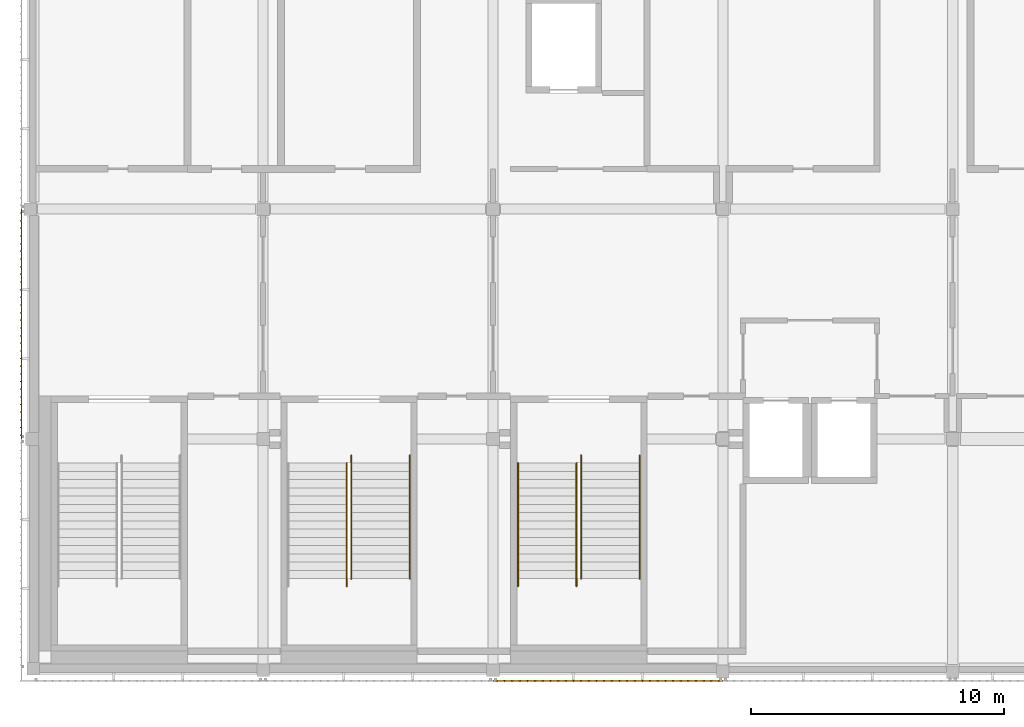
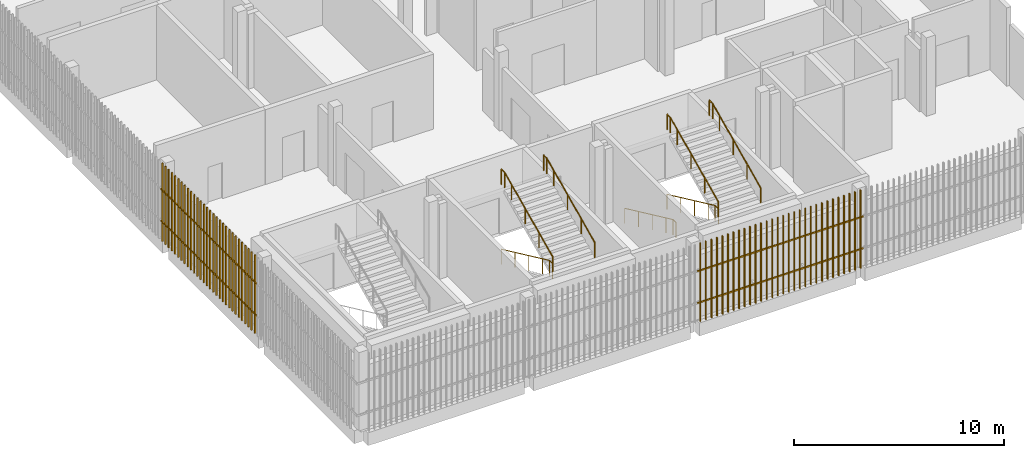
# One storey, part 75 of 91: 7 railings, 2 shading devices.
"""IFC4 building model written with IfcOpenShell, lengths in metres."""

from ifc_helpers import new_model, si_unit, direction, frame, origin, origin_2d, place, context, subcontext, project, spatial, rectangle, circle, extrude, material, type_object, element, save


model = new_model("IFC4")

# Units and contexts
model_context = context("Model", 3, precision=1e-05, world=origin(), true_north=direction((0.0, 1.0)))
body_context = subcontext(model_context, "Body", "Model", "MODEL_VIEW")
ifc_project = project(units=[si_unit("LENGTHUNIT", "METRE"), si_unit("AREAUNIT", "SQUARE_METRE"), si_unit("VOLUMEUNIT", "CUBIC_METRE"), si_unit("PLANEANGLEUNIT", "RADIAN"), si_unit("MASSUNIT", "GRAM", prefix="KILO")], contexts=[model_context])

# Site, building, storey
site_placement = place(None, origin())
site = spatial("IfcSite", under=ifc_project, at=site_placement, CompositionType="ELEMENT")
building_placement = place(site_placement, origin())
building = spatial("IfcBuilding", under=site, at=building_placement, Name="Shirokan Park Arena", CompositionType="ELEMENT")
storey_placement = place(building_placement, frame((0.0, 0.0, 24.570068359375)))
storey = spatial("IfcBuildingStorey", under=building, at=storey_placement, Name="L05", CompositionType="ELEMENT", Elevation=24.570068359375)

# Railings
ifc_material_1 = material(Name="Stainless steel", Category="steel")
railing_type = type_object("IfcRailingType", Name="Stair handrail 900", PredefinedType="HANDRAIL", material=ifc_material_1)
railing_1_placement = place(storey_placement, frame((12.409912109375, 8.14990234375, 0.151611328125)))
element("IfcRailing", 1, at=railing_1_placement, inside=storey, type_object=railing_type, Name="Handrail Exit Stair 1.B L05 to L06", PredefinedType="HANDRAIL", context=body_context, shape_type="SweptSolid", body=[
    extrude(circle(Radius=0.02392578125, at=origin_2d()), frame((0.0, 0.0, 0.8759765625), z_axis=(0.0, -0.906999720516, 0.421131222998), x_axis=(1.0, 0.0, 0.0)), (0.0, 0.0, 1.0), 1.440673828125),
    extrude(circle(Radius=0.02392578125, at=origin_2d()), frame((0.0, -1.306640625, 1.482421875), z_axis=(0.0, -0.907029769225, 0.421066500378), x_axis=(1.0, 0.0, 0.0)), (0.0, 0.0, 1.0), 1.44091796875),
    extrude(circle(Radius=0.02392578125, at=origin_2d()), frame((0.0, -2.613525390625, 2.08935546875), z_axis=(0.0, -0.907029769225, 0.421066500378), x_axis=(1.0, 0.0, 0.0)), (0.0, 0.0, 1.0), 1.44091796875),
    extrude(circle(Radius=0.02392578125, at=origin_2d()), frame((0.0, -3.92041015625, 2.69580078125), z_axis=(0.0, -0.907064445915, 0.420991794405), x_axis=(1.0, 0.0, 0.0)), (0.0, 0.0, 1.0), 0.72021484375),
    extrude(circle(Radius=0.02392578125, at=origin_2d()), frame((0.0, -4.57373046875, 2.9990234375), z_axis=(0.0, -1.0, 0.0), x_axis=(1.0, 0.0, 0.0)), (0.0, 0.0, 1.0), 0.300048828125),
    extrude(circle(Radius=0.02099609375, at=origin_2d()), origin(), (0.0, 0.0, 1.0), 0.851806640625),
    extrude(circle(Radius=0.02099609375, at=origin_2d()), frame((0.0, -1.306640625, 0.606689453125)), (0.0, 0.0, 1.0), 0.851806640625),
    extrude(circle(Radius=0.02099609375, at=origin_2d()), frame((0.0, -2.613525390625, 1.21337890625)), (0.0, 0.0, 1.0), 0.851806640625),
    extrude(circle(Radius=0.02099609375, at=origin_2d()), frame((0.0, -3.92041015625, 1.820068359375)), (0.0, 0.0, 1.0), 0.851806640625),
    extrude(circle(Radius=0.02099609375, at=origin_2d()), frame((0.0, -4.57373046875, 2.123291015625)), (0.0, 0.0, 1.0), 0.851806640625),
    extrude(circle(Radius=0.02099609375, at=origin_2d()), frame((0.0, -4.873779296875, 2.123291015625)), (0.0, 0.0, 1.0), 0.851806640625),
])
railing_2_placement = place(storey_placement, frame((12.590087890625, 3.576171875, 2.426513671875)))
element("IfcRailing", 2, at=railing_2_placement, inside=storey, type_object=railing_type, Name="Handrail Exit Stair 1.B L05 to L06", PredefinedType="HANDRAIL", context=body_context, shape_type="SweptSolid", body=[
    extrude(circle(Radius=0.02392578125, at=origin_2d()), frame((0.0, 0.0, 0.8759765625), z_axis=(0.0, 0.907029769225, 0.421066500378), x_axis=(-1.0, 0.0, 0.0)), (0.0, 0.0, 1.0), 1.44091796875),
    extrude(circle(Radius=0.02392578125, at=origin_2d()), frame((0.0, 1.306884765625, 1.482421875), z_axis=(0.0, 0.906999720516, 0.421131222998), x_axis=(-1.0, 0.0, 0.0)), (0.0, 0.0, 1.0), 1.440673828125),
    extrude(circle(Radius=0.02392578125, at=origin_2d()), frame((0.0, 2.613525390625, 2.08935546875), z_axis=(0.0, 0.907029769225, 0.421066500378), x_axis=(-1.0, 0.0, 0.0)), (0.0, 0.0, 1.0), 1.44091796875),
    extrude(circle(Radius=0.02392578125, at=origin_2d()), frame((0.0, 3.92041015625, 2.69580078125), z_axis=(0.0, 0.906934982928, 0.421270621741), x_axis=(-1.0, 0.0, 0.0)), (0.0, 0.0, 1.0), 0.720458984375),
    extrude(circle(Radius=0.02392578125, at=origin_2d()), frame((0.0, 4.57373046875, 2.99951171875), z_axis=(0.0, 1.0, 0.0), x_axis=(-1.0, 0.0, 0.0)), (0.0, 0.0, 1.0), 0.300048828125),
    extrude(circle(Radius=0.02099609375, at=origin_2d()), origin(), (0.0, 0.0, 1.0), 0.851806640625),
    extrude(circle(Radius=0.02099609375, at=origin_2d()), frame((0.0, 1.306884765625, 0.606689453125)), (0.0, 0.0, 1.0), 0.851806640625),
    extrude(circle(Radius=0.02099609375, at=origin_2d()), frame((0.0, 2.613525390625, 1.21337890625)), (0.0, 0.0, 1.0), 0.851806640625),
    extrude(circle(Radius=0.02099609375, at=origin_2d()), frame((0.0, 3.92041015625, 1.820068359375)), (0.0, 0.0, 1.0), 0.851806640625),
    extrude(circle(Radius=0.02099609375, at=origin_2d()), frame((0.0, 4.57373046875, 2.12353515625)), (0.0, 0.0, 1.0), 0.851806640625),
    extrude(circle(Radius=0.02099609375, at=origin_2d()), frame((0.0, 4.873779296875, 2.12353515625)), (0.0, 0.0, 1.0), 0.851806640625),
])
railing_3_placement = place(storey_placement, frame((14.909912109375, 3.576171875, 2.426513671875)))
element("IfcRailing", 3, at=railing_3_placement, inside=storey, type_object=railing_type, Name="Handrail Exit Stair 1.B L05 to L06", PredefinedType="HANDRAIL", context=body_context, shape_type="SweptSolid", body=[
    extrude(circle(Radius=0.02392578125, at=origin_2d()), frame((0.0, 0.0, 0.8759765625), z_axis=(0.0, 0.907029769225, 0.421066500378), x_axis=(-1.0, 0.0, 0.0)), (0.0, 0.0, 1.0), 1.44091796875),
    extrude(circle(Radius=0.02392578125, at=origin_2d()), frame((0.0, 1.306884765625, 1.482421875), z_axis=(0.0, 0.906999720516, 0.421131222998), x_axis=(-1.0, 0.0, 0.0)), (0.0, 0.0, 1.0), 1.440673828125),
    extrude(circle(Radius=0.02392578125, at=origin_2d()), frame((0.0, 2.613525390625, 2.08935546875), z_axis=(0.0, 0.907029769225, 0.421066500378), x_axis=(-1.0, 0.0, 0.0)), (0.0, 0.0, 1.0), 1.44091796875),
    extrude(circle(Radius=0.02392578125, at=origin_2d()), frame((0.0, 3.92041015625, 2.69580078125), z_axis=(0.0, 0.906934982928, 0.421270621741), x_axis=(-1.0, 0.0, 0.0)), (0.0, 0.0, 1.0), 0.720458984375),
    extrude(circle(Radius=0.02392578125, at=origin_2d()), frame((0.0, 4.57373046875, 2.99951171875), z_axis=(0.0, 1.0, 0.0), x_axis=(-1.0, 0.0, 0.0)), (0.0, 0.0, 1.0), 0.300048828125),
    extrude(circle(Radius=0.02099609375, at=origin_2d()), origin(), (0.0, 0.0, 1.0), 0.851806640625),
    extrude(circle(Radius=0.02099609375, at=origin_2d()), frame((0.0, 1.306884765625, 0.606689453125)), (0.0, 0.0, 1.0), 0.851806640625),
    extrude(circle(Radius=0.02099609375, at=origin_2d()), frame((0.0, 2.613525390625, 1.21337890625)), (0.0, 0.0, 1.0), 0.851806640625),
    extrude(circle(Radius=0.02099609375, at=origin_2d()), frame((0.0, 3.92041015625, 1.820068359375)), (0.0, 0.0, 1.0), 0.851806640625),
    extrude(circle(Radius=0.02099609375, at=origin_2d()), frame((0.0, 4.57373046875, 2.12353515625)), (0.0, 0.0, 1.0), 0.851806640625),
    extrude(circle(Radius=0.02099609375, at=origin_2d()), frame((0.0, 4.873779296875, 2.12353515625)), (0.0, 0.0, 1.0), 0.851806640625),
])
railing_4_placement = place(storey_placement, frame((19.18994140625, 8.14990234375, 0.151611328125)))
element("IfcRailing", 4, at=railing_4_placement, inside=storey, type_object=railing_type, Name="Handrail Exit Stair 1.C L05 to L06", PredefinedType="HANDRAIL", context=body_context, shape_type="SweptSolid", body=[
    extrude(circle(Radius=0.02392578125, at=origin_2d()), frame((0.0, 0.0, 0.8759765625), z_axis=(0.0, -0.906999720516, 0.421131222998), x_axis=(1.0, 0.0, 0.0)), (0.0, 0.0, 1.0), 1.440673828125),
    extrude(circle(Radius=0.02392578125, at=origin_2d()), frame((0.0, -1.306640625, 1.482421875), z_axis=(0.0, -0.907029769225, 0.421066500378), x_axis=(1.0, 0.0, 0.0)), (0.0, 0.0, 1.0), 1.44091796875),
    extrude(circle(Radius=0.02392578125, at=origin_2d()), frame((0.0, -2.613525390625, 2.08935546875), z_axis=(0.0, -0.907029769225, 0.421066500378), x_axis=(1.0, 0.0, 0.0)), (0.0, 0.0, 1.0), 1.44091796875),
    extrude(circle(Radius=0.02392578125, at=origin_2d()), frame((0.0, -3.92041015625, 2.69580078125), z_axis=(0.0, -0.907064445915, 0.420991794405), x_axis=(1.0, 0.0, 0.0)), (0.0, 0.0, 1.0), 0.72021484375),
    extrude(circle(Radius=0.02392578125, at=origin_2d()), frame((0.0, -4.57373046875, 2.9990234375), z_axis=(0.0, -1.0, 0.0), x_axis=(1.0, 0.0, 0.0)), (0.0, 0.0, 1.0), 0.300048828125),
    extrude(circle(Radius=0.02099609375, at=origin_2d()), origin(), (0.0, 0.0, 1.0), 0.851806640625),
    extrude(circle(Radius=0.02099609375, at=origin_2d()), frame((0.0, -1.306640625, 0.606689453125)), (0.0, 0.0, 1.0), 0.851806640625),
    extrude(circle(Radius=0.02099609375, at=origin_2d()), frame((0.0, -2.613525390625, 1.21337890625)), (0.0, 0.0, 1.0), 0.851806640625),
    extrude(circle(Radius=0.02099609375, at=origin_2d()), frame((0.0, -3.92041015625, 1.820068359375)), (0.0, 0.0, 1.0), 0.851806640625),
    extrude(circle(Radius=0.02099609375, at=origin_2d()), frame((0.0, -4.57373046875, 2.123291015625)), (0.0, 0.0, 1.0), 0.851806640625),
    extrude(circle(Radius=0.02099609375, at=origin_2d()), frame((0.0, -4.873779296875, 2.123291015625)), (0.0, 0.0, 1.0), 0.851806640625),
])
railing_5_placement = place(storey_placement, frame((21.510009765625, 8.14990234375, 0.151611328125)))
element("IfcRailing", 5, at=railing_5_placement, inside=storey, type_object=railing_type, Name="Handrail Exit Stair 1.C L05 to L06", PredefinedType="HANDRAIL", context=body_context, shape_type="SweptSolid", body=[
    extrude(circle(Radius=0.02392578125, at=origin_2d()), frame((0.0, 0.0, 0.8759765625), z_axis=(0.0, -0.906999720516, 0.421131222998), x_axis=(1.0, 0.0, 0.0)), (0.0, 0.0, 1.0), 1.440673828125),
    extrude(circle(Radius=0.02392578125, at=origin_2d()), frame((0.0, -1.306640625, 1.482421875), z_axis=(0.0, -0.907029769225, 0.421066500378), x_axis=(1.0, 0.0, 0.0)), (0.0, 0.0, 1.0), 1.44091796875),
    extrude(circle(Radius=0.02392578125, at=origin_2d()), frame((0.0, -2.613525390625, 2.08935546875), z_axis=(0.0, -0.907029769225, 0.421066500378), x_axis=(1.0, 0.0, 0.0)), (0.0, 0.0, 1.0), 1.44091796875),
    extrude(circle(Radius=0.02392578125, at=origin_2d()), frame((0.0, -3.92041015625, 2.69580078125), z_axis=(0.0, -0.907064445915, 0.420991794405), x_axis=(1.0, 0.0, 0.0)), (0.0, 0.0, 1.0), 0.72021484375),
    extrude(circle(Radius=0.02392578125, at=origin_2d()), frame((0.0, -4.57373046875, 2.9990234375), z_axis=(0.0, -1.0, 0.0), x_axis=(1.0, 0.0, 0.0)), (0.0, 0.0, 1.0), 0.300048828125),
    extrude(circle(Radius=0.02099609375, at=origin_2d()), origin(), (0.0, 0.0, 1.0), 0.851806640625),
    extrude(circle(Radius=0.02099609375, at=origin_2d()), frame((0.0, -1.306640625, 0.606689453125)), (0.0, 0.0, 1.0), 0.851806640625),
    extrude(circle(Radius=0.02099609375, at=origin_2d()), frame((0.0, -2.613525390625, 1.21337890625)), (0.0, 0.0, 1.0), 0.851806640625),
    extrude(circle(Radius=0.02099609375, at=origin_2d()), frame((0.0, -3.92041015625, 1.820068359375)), (0.0, 0.0, 1.0), 0.851806640625),
    extrude(circle(Radius=0.02099609375, at=origin_2d()), frame((0.0, -4.57373046875, 2.123291015625)), (0.0, 0.0, 1.0), 0.851806640625),
    extrude(circle(Radius=0.02099609375, at=origin_2d()), frame((0.0, -4.873779296875, 2.123291015625)), (0.0, 0.0, 1.0), 0.851806640625),
])
railing_6_placement = place(storey_placement, frame((21.68994140625, 3.576171875, 2.426513671875)))
element("IfcRailing", 6, at=railing_6_placement, inside=storey, type_object=railing_type, Name="Handrail Exit Stair 1.C L05 to L06", PredefinedType="HANDRAIL", context=body_context, shape_type="SweptSolid", body=[
    extrude(circle(Radius=0.02392578125, at=origin_2d()), frame((0.0, 0.0, 0.8759765625), z_axis=(0.0, 0.907029769225, 0.421066500378), x_axis=(-1.0, 0.0, 0.0)), (0.0, 0.0, 1.0), 1.44091796875),
    extrude(circle(Radius=0.02392578125, at=origin_2d()), frame((0.0, 1.306884765625, 1.482421875), z_axis=(0.0, 0.906999720516, 0.421131222998), x_axis=(-1.0, 0.0, 0.0)), (0.0, 0.0, 1.0), 1.440673828125),
    extrude(circle(Radius=0.02392578125, at=origin_2d()), frame((0.0, 2.613525390625, 2.08935546875), z_axis=(0.0, 0.907029769225, 0.421066500378), x_axis=(-1.0, 0.0, 0.0)), (0.0, 0.0, 1.0), 1.44091796875),
    extrude(circle(Radius=0.02392578125, at=origin_2d()), frame((0.0, 3.92041015625, 2.69580078125), z_axis=(0.0, 0.906934982928, 0.421270621741), x_axis=(-1.0, 0.0, 0.0)), (0.0, 0.0, 1.0), 0.720458984375),
    extrude(circle(Radius=0.02392578125, at=origin_2d()), frame((0.0, 4.57373046875, 2.99951171875), z_axis=(0.0, 1.0, 0.0), x_axis=(-1.0, 0.0, 0.0)), (0.0, 0.0, 1.0), 0.300048828125),
    extrude(circle(Radius=0.02099609375, at=origin_2d()), origin(), (0.0, 0.0, 1.0), 0.851806640625),
    extrude(circle(Radius=0.02099609375, at=origin_2d()), frame((0.0, 1.306884765625, 0.606689453125)), (0.0, 0.0, 1.0), 0.851806640625),
    extrude(circle(Radius=0.02099609375, at=origin_2d()), frame((0.0, 2.613525390625, 1.21337890625)), (0.0, 0.0, 1.0), 0.851806640625),
    extrude(circle(Radius=0.02099609375, at=origin_2d()), frame((0.0, 3.92041015625, 1.820068359375)), (0.0, 0.0, 1.0), 0.851806640625),
    extrude(circle(Radius=0.02099609375, at=origin_2d()), frame((0.0, 4.57373046875, 2.12353515625)), (0.0, 0.0, 1.0), 0.851806640625),
    extrude(circle(Radius=0.02099609375, at=origin_2d()), frame((0.0, 4.873779296875, 2.12353515625)), (0.0, 0.0, 1.0), 0.851806640625),
])
railing_7_placement = place(storey_placement, frame((24.010009765625, 3.576171875, 2.426513671875)))
element("IfcRailing", 7, at=railing_7_placement, inside=storey, type_object=railing_type, Name="Handrail Exit Stair 1.C L05 to L06", PredefinedType="HANDRAIL", context=body_context, shape_type="SweptSolid", body=[
    extrude(circle(Radius=0.02392578125, at=origin_2d()), frame((0.0, 0.0, 0.8759765625), z_axis=(0.0, 0.907029769225, 0.421066500378), x_axis=(-1.0, 0.0, 0.0)), (0.0, 0.0, 1.0), 1.44091796875),
    extrude(circle(Radius=0.02392578125, at=origin_2d()), frame((0.0, 1.306884765625, 1.482421875), z_axis=(0.0, 0.906999720516, 0.421131222998), x_axis=(-1.0, 0.0, 0.0)), (0.0, 0.0, 1.0), 1.440673828125),
    extrude(circle(Radius=0.02392578125, at=origin_2d()), frame((0.0, 2.613525390625, 2.08935546875), z_axis=(0.0, 0.907029769225, 0.421066500378), x_axis=(-1.0, 0.0, 0.0)), (0.0, 0.0, 1.0), 1.44091796875),
    extrude(circle(Radius=0.02392578125, at=origin_2d()), frame((0.0, 3.92041015625, 2.69580078125), z_axis=(0.0, 0.906934982928, 0.421270621741), x_axis=(-1.0, 0.0, 0.0)), (0.0, 0.0, 1.0), 0.720458984375),
    extrude(circle(Radius=0.02392578125, at=origin_2d()), frame((0.0, 4.57373046875, 2.99951171875), z_axis=(0.0, 1.0, 0.0), x_axis=(-1.0, 0.0, 0.0)), (0.0, 0.0, 1.0), 0.300048828125),
    extrude(circle(Radius=0.02099609375, at=origin_2d()), origin(), (0.0, 0.0, 1.0), 0.851806640625),
    extrude(circle(Radius=0.02099609375, at=origin_2d()), frame((0.0, 1.306884765625, 0.606689453125)), (0.0, 0.0, 1.0), 0.851806640625),
    extrude(circle(Radius=0.02099609375, at=origin_2d()), frame((0.0, 2.613525390625, 1.21337890625)), (0.0, 0.0, 1.0), 0.851806640625),
    extrude(circle(Radius=0.02099609375, at=origin_2d()), frame((0.0, 3.92041015625, 1.820068359375)), (0.0, 0.0, 1.0), 0.851806640625),
    extrude(circle(Radius=0.02099609375, at=origin_2d()), frame((0.0, 4.57373046875, 2.12353515625)), (0.0, 0.0, 1.0), 0.851806640625),
    extrude(circle(Radius=0.02099609375, at=origin_2d()), frame((0.0, 4.873779296875, 2.12353515625)), (0.0, 0.0, 1.0), 0.851806640625),
])

# Shading devices
ifc_material_2 = material(Name="Timber louvre veil (cedar)", Category="wood")
shading_device_type = type_object("IfcShadingDeviceType", Name="Timber louvre veil panel", PredefinedType="JALOUSIE", material=ifc_material_2)
shading_device_1_placement = place(storey_placement, origin())
element("IfcShadingDevice", 8, at=shading_device_1_placement, inside=storey, type_object=shading_device_type, Name="Timber louvre veil south bay 3 L05", PredefinedType="JALOUSIE", context=body_context, shape_type="SweptSolid", body=[
    extrude(rectangle(XDim=0.050048828125, YDim=0.080078125, at=origin_2d()), frame((18.3515625, -0.485107421875, 0.0), z_axis=(0.0, 0.0, 1.0), x_axis=(1.0, 0.0, 0.0)), (0.0, 0.0, 1.0), 4.550048828125),
    extrude(rectangle(XDim=0.050048828125, YDim=0.080078125, at=origin_2d()), frame((18.655029296875, -0.485107421875, 0.0), z_axis=(0.0, 0.0, 1.0), x_axis=(1.0, 0.0, 0.0)), (0.0, 0.0, 1.0), 4.550048828125),
    extrude(rectangle(XDim=0.050048828125, YDim=0.080078125, at=origin_2d()), frame((18.958251953125, -0.485107421875, 0.0), z_axis=(0.0, 0.0, 1.0), x_axis=(1.0, 0.0, 0.0)), (0.0, 0.0, 1.0), 4.550048828125),
    extrude(rectangle(XDim=0.050048828125, YDim=0.080078125, at=origin_2d()), frame((19.26171875, -0.485107421875, 0.0), z_axis=(0.0, 0.0, 1.0), x_axis=(1.0, 0.0, 0.0)), (0.0, 0.0, 1.0), 4.550048828125),
    extrude(rectangle(XDim=0.050048828125, YDim=0.080078125, at=origin_2d()), frame((19.56494140625, -0.485107421875, 0.0), z_axis=(0.0, 0.0, 1.0), x_axis=(1.0, 0.0, 0.0)), (0.0, 0.0, 1.0), 4.550048828125),
    extrude(rectangle(XDim=0.050048828125, YDim=0.080078125, at=origin_2d()), frame((19.868408203125, -0.485107421875, 0.0), z_axis=(0.0, 0.0, 1.0), x_axis=(1.0, 0.0, 0.0)), (0.0, 0.0, 1.0), 4.550048828125),
    extrude(rectangle(XDim=0.050048828125, YDim=0.080078125, at=origin_2d()), frame((20.171630859375, -0.485107421875, 0.0), z_axis=(0.0, 0.0, 1.0), x_axis=(1.0, 0.0, 0.0)), (0.0, 0.0, 1.0), 4.550048828125),
    extrude(rectangle(XDim=0.050048828125, YDim=0.080078125, at=origin_2d()), frame((20.47509765625, -0.485107421875, 0.0), z_axis=(0.0, 0.0, 1.0), x_axis=(1.0, 0.0, 0.0)), (0.0, 0.0, 1.0), 4.550048828125),
    extrude(rectangle(XDim=0.050048828125, YDim=0.080078125, at=origin_2d()), frame((20.7783203125, -0.485107421875, 0.0), z_axis=(0.0, 0.0, 1.0), x_axis=(1.0, 0.0, 0.0)), (0.0, 0.0, 1.0), 4.550048828125),
    extrude(rectangle(XDim=0.050048828125, YDim=0.080078125, at=origin_2d()), frame((21.081787109375, -0.485107421875, 0.0), z_axis=(0.0, 0.0, 1.0), x_axis=(1.0, 0.0, 0.0)), (0.0, 0.0, 1.0), 4.550048828125),
    extrude(rectangle(XDim=0.050048828125, YDim=0.080078125, at=origin_2d()), frame((21.385009765625, -0.485107421875, 0.0), z_axis=(0.0, 0.0, 1.0), x_axis=(1.0, 0.0, 0.0)), (0.0, 0.0, 1.0), 4.550048828125),
    extrude(rectangle(XDim=0.050048828125, YDim=0.080078125, at=origin_2d()), frame((21.688232421875, -0.485107421875, 0.0), z_axis=(0.0, 0.0, 1.0), x_axis=(1.0, 0.0, 0.0)), (0.0, 0.0, 1.0), 4.550048828125),
    extrude(rectangle(XDim=0.050048828125, YDim=0.080078125, at=origin_2d()), frame((21.99169921875, -0.485107421875, 0.0), z_axis=(0.0, 0.0, 1.0), x_axis=(1.0, 0.0, 0.0)), (0.0, 0.0, 1.0), 4.550048828125),
    extrude(rectangle(XDim=0.050048828125, YDim=0.080078125, at=origin_2d()), frame((22.294921875, -0.485107421875, 0.0), z_axis=(0.0, 0.0, 1.0), x_axis=(1.0, 0.0, 0.0)), (0.0, 0.0, 1.0), 4.550048828125),
    extrude(rectangle(XDim=0.050048828125, YDim=0.080078125, at=origin_2d()), frame((22.598388671875, -0.485107421875, 0.0), z_axis=(0.0, 0.0, 1.0), x_axis=(1.0, 0.0, 0.0)), (0.0, 0.0, 1.0), 4.550048828125),
    extrude(rectangle(XDim=0.050048828125, YDim=0.080078125, at=origin_2d()), frame((22.901611328125, -0.485107421875, 0.0), z_axis=(0.0, 0.0, 1.0), x_axis=(1.0, 0.0, 0.0)), (0.0, 0.0, 1.0), 4.550048828125),
    extrude(rectangle(XDim=0.050048828125, YDim=0.080078125, at=origin_2d()), frame((23.205078125, -0.485107421875, 0.0), z_axis=(0.0, 0.0, 1.0), x_axis=(1.0, 0.0, 0.0)), (0.0, 0.0, 1.0), 4.550048828125),
    extrude(rectangle(XDim=0.050048828125, YDim=0.080078125, at=origin_2d()), frame((23.50830078125, -0.485107421875, 0.0), z_axis=(0.0, 0.0, 1.0), x_axis=(1.0, 0.0, 0.0)), (0.0, 0.0, 1.0), 4.550048828125),
    extrude(rectangle(XDim=0.050048828125, YDim=0.080078125, at=origin_2d()), frame((23.811767578125, -0.485107421875, 0.0), z_axis=(0.0, 0.0, 1.0), x_axis=(1.0, 0.0, 0.0)), (0.0, 0.0, 1.0), 4.550048828125),
    extrude(rectangle(XDim=0.050048828125, YDim=0.080078125, at=origin_2d()), frame((24.114990234375, -0.485107421875, 0.0), z_axis=(0.0, 0.0, 1.0), x_axis=(1.0, 0.0, 0.0)), (0.0, 0.0, 1.0), 4.550048828125),
    extrude(rectangle(XDim=0.050048828125, YDim=0.080078125, at=origin_2d()), frame((24.418212890625, -0.485107421875, 0.0), z_axis=(0.0, 0.0, 1.0), x_axis=(1.0, 0.0, 0.0)), (0.0, 0.0, 1.0), 4.550048828125),
    extrude(rectangle(XDim=0.050048828125, YDim=0.080078125, at=origin_2d()), frame((24.7216796875, -0.485107421875, 0.0), z_axis=(0.0, 0.0, 1.0), x_axis=(1.0, 0.0, 0.0)), (0.0, 0.0, 1.0), 4.550048828125),
    extrude(rectangle(XDim=0.050048828125, YDim=0.080078125, at=origin_2d()), frame((25.02490234375, -0.485107421875, 0.0), z_axis=(0.0, 0.0, 1.0), x_axis=(1.0, 0.0, 0.0)), (0.0, 0.0, 1.0), 4.550048828125),
    extrude(rectangle(XDim=0.050048828125, YDim=0.080078125, at=origin_2d()), frame((25.328369140625, -0.485107421875, 0.0), z_axis=(0.0, 0.0, 1.0), x_axis=(1.0, 0.0, 0.0)), (0.0, 0.0, 1.0), 4.550048828125),
    extrude(rectangle(XDim=0.050048828125, YDim=0.080078125, at=origin_2d()), frame((25.631591796875, -0.485107421875, 0.0), z_axis=(0.0, 0.0, 1.0), x_axis=(1.0, 0.0, 0.0)), (0.0, 0.0, 1.0), 4.550048828125),
    extrude(rectangle(XDim=0.050048828125, YDim=0.080078125, at=origin_2d()), frame((25.93505859375, -0.485107421875, 0.0), z_axis=(0.0, 0.0, 1.0), x_axis=(1.0, 0.0, 0.0)), (0.0, 0.0, 1.0), 4.550048828125),
    extrude(rectangle(XDim=0.050048828125, YDim=0.080078125, at=origin_2d()), frame((26.23828125, -0.485107421875, 0.0), z_axis=(0.0, 0.0, 1.0), x_axis=(1.0, 0.0, 0.0)), (0.0, 0.0, 1.0), 4.550048828125),
    extrude(rectangle(XDim=0.050048828125, YDim=0.080078125, at=origin_2d()), frame((26.541748046875, -0.485107421875, 0.0), z_axis=(0.0, 0.0, 1.0), x_axis=(1.0, 0.0, 0.0)), (0.0, 0.0, 1.0), 4.550048828125),
    extrude(rectangle(XDim=0.050048828125, YDim=0.080078125, at=origin_2d()), frame((26.844970703125, -0.485107421875, 0.0), z_axis=(0.0, 0.0, 1.0), x_axis=(1.0, 0.0, 0.0)), (0.0, 0.0, 1.0), 4.550048828125),
    extrude(rectangle(XDim=0.050048828125, YDim=0.080078125, at=origin_2d()), frame((27.1484375, -0.485107421875, 0.0), z_axis=(0.0, 0.0, 1.0), x_axis=(1.0, 0.0, 0.0)), (0.0, 0.0, 1.0), 4.550048828125),
    extrude(rectangle(XDim=9.10009765625, YDim=0.050048828125, at=origin_2d()), frame((22.75, -0.469970703125, 1.059814453125), z_axis=(0.0, 0.0, 1.0), x_axis=(1.0, 0.0, 0.0)), (0.0, 0.0, 1.0), 0.080078125),
    extrude(rectangle(XDim=9.10009765625, YDim=0.050048828125, at=origin_2d()), frame((22.75, -0.469970703125, 2.909912109375), z_axis=(0.0, 0.0, 1.0), x_axis=(1.0, 0.0, 0.0)), (0.0, 0.0, 1.0), 0.080078125),
])
shading_device_2_placement = place(storey_placement, origin())
element("IfcShadingDevice", 9, at=shading_device_2_placement, inside=storey, type_object=shading_device_type, Name="Timber louvre veil west bay 11 L05", PredefinedType="JALOUSIE", context=body_context, shape_type="SweptSolid", body=[
    extrude(rectangle(XDim=0.050048828125, YDim=0.080078125, at=origin_2d()), frame((-0.485107421875, 18.04833984375, 0.0), z_axis=(0.0, 0.0, 1.0), x_axis=(0.0, -1.0, 0.0)), (0.0, 0.0, 1.0), 4.550048828125),
    extrude(rectangle(XDim=0.050048828125, YDim=0.080078125, at=origin_2d()), frame((-0.485107421875, 17.7451171875, 0.0), z_axis=(0.0, 0.0, 1.0), x_axis=(0.0, -1.0, 0.0)), (0.0, 0.0, 1.0), 4.550048828125),
    extrude(rectangle(XDim=0.050048828125, YDim=0.080078125, at=origin_2d()), frame((-0.485107421875, 17.441650390625, 0.0), z_axis=(0.0, 0.0, 1.0), x_axis=(0.0, -1.0, 0.0)), (0.0, 0.0, 1.0), 4.550048828125),
    extrude(rectangle(XDim=0.050048828125, YDim=0.080078125, at=origin_2d()), frame((-0.485107421875, 17.138427734375, 0.0), z_axis=(0.0, 0.0, 1.0), x_axis=(0.0, -1.0, 0.0)), (0.0, 0.0, 1.0), 4.550048828125),
    extrude(rectangle(XDim=0.050048828125, YDim=0.080078125, at=origin_2d()), frame((-0.485107421875, 16.8349609375, 0.0), z_axis=(0.0, 0.0, 1.0), x_axis=(0.0, -1.0, 0.0)), (0.0, 0.0, 1.0), 4.550048828125),
    extrude(rectangle(XDim=0.050048828125, YDim=0.080078125, at=origin_2d()), frame((-0.485107421875, 16.53173828125, 0.0), z_axis=(0.0, 0.0, 1.0), x_axis=(0.0, -1.0, 0.0)), (0.0, 0.0, 1.0), 4.550048828125),
    extrude(rectangle(XDim=0.050048828125, YDim=0.080078125, at=origin_2d()), frame((-0.485107421875, 16.228271484375, 0.0), z_axis=(0.0, 0.0, 1.0), x_axis=(0.0, -1.0, 0.0)), (0.0, 0.0, 1.0), 4.550048828125),
    extrude(rectangle(XDim=0.050048828125, YDim=0.080078125, at=origin_2d()), frame((-0.485107421875, 15.925048828125, 0.0), z_axis=(0.0, 0.0, 1.0), x_axis=(0.0, -1.0, 0.0)), (0.0, 0.0, 1.0), 4.550048828125),
    extrude(rectangle(XDim=0.050048828125, YDim=0.080078125, at=origin_2d()), frame((-0.485107421875, 15.62158203125, 0.0), z_axis=(0.0, 0.0, 1.0), x_axis=(0.0, -1.0, 0.0)), (0.0, 0.0, 1.0), 4.550048828125),
    extrude(rectangle(XDim=0.050048828125, YDim=0.080078125, at=origin_2d()), frame((-0.485107421875, 15.318359375, 0.0), z_axis=(0.0, 0.0, 1.0), x_axis=(0.0, -1.0, 0.0)), (0.0, 0.0, 1.0), 4.550048828125),
    extrude(rectangle(XDim=0.050048828125, YDim=0.080078125, at=origin_2d()), frame((-0.485107421875, 15.014892578125, 0.0), z_axis=(0.0, 0.0, 1.0), x_axis=(0.0, -1.0, 0.0)), (0.0, 0.0, 1.0), 4.550048828125),
    extrude(rectangle(XDim=0.050048828125, YDim=0.080078125, at=origin_2d()), frame((-0.485107421875, 14.711669921875, 0.0), z_axis=(0.0, 0.0, 1.0), x_axis=(0.0, -1.0, 0.0)), (0.0, 0.0, 1.0), 4.550048828125),
    extrude(rectangle(XDim=0.050048828125, YDim=0.080078125, at=origin_2d()), frame((-0.485107421875, 14.408447265625, 0.0), z_axis=(0.0, 0.0, 1.0), x_axis=(0.0, -1.0, 0.0)), (0.0, 0.0, 1.0), 4.550048828125),
    extrude(rectangle(XDim=0.050048828125, YDim=0.080078125, at=origin_2d()), frame((-0.485107421875, 14.10498046875, 0.0), z_axis=(0.0, 0.0, 1.0), x_axis=(0.0, -1.0, 0.0)), (0.0, 0.0, 1.0), 4.550048828125),
    extrude(rectangle(XDim=0.050048828125, YDim=0.080078125, at=origin_2d()), frame((-0.485107421875, 13.8017578125, 0.0), z_axis=(0.0, 0.0, 1.0), x_axis=(0.0, -1.0, 0.0)), (0.0, 0.0, 1.0), 4.550048828125),
    extrude(rectangle(XDim=0.050048828125, YDim=0.080078125, at=origin_2d()), frame((-0.485107421875, 13.498291015625, 0.0), z_axis=(0.0, 0.0, 1.0), x_axis=(0.0, -1.0, 0.0)), (0.0, 0.0, 1.0), 4.550048828125),
    extrude(rectangle(XDim=0.050048828125, YDim=0.080078125, at=origin_2d()), frame((-0.485107421875, 13.195068359375, 0.0), z_axis=(0.0, 0.0, 1.0), x_axis=(0.0, -1.0, 0.0)), (0.0, 0.0, 1.0), 4.550048828125),
    extrude(rectangle(XDim=0.050048828125, YDim=0.080078125, at=origin_2d()), frame((-0.485107421875, 12.8916015625, 0.0), z_axis=(0.0, 0.0, 1.0), x_axis=(0.0, -1.0, 0.0)), (0.0, 0.0, 1.0), 4.550048828125),
    extrude(rectangle(XDim=0.050048828125, YDim=0.080078125, at=origin_2d()), frame((-0.485107421875, 12.58837890625, 0.0), z_axis=(0.0, 0.0, 1.0), x_axis=(0.0, -1.0, 0.0)), (0.0, 0.0, 1.0), 4.550048828125),
    extrude(rectangle(XDim=0.050048828125, YDim=0.080078125, at=origin_2d()), frame((-0.485107421875, 12.284912109375, 0.0), z_axis=(0.0, 0.0, 1.0), x_axis=(0.0, -1.0, 0.0)), (0.0, 0.0, 1.0), 4.550048828125),
    extrude(rectangle(XDim=0.050048828125, YDim=0.080078125, at=origin_2d()), frame((-0.485107421875, 11.981689453125, 0.0), z_axis=(0.0, 0.0, 1.0), x_axis=(0.0, -1.0, 0.0)), (0.0, 0.0, 1.0), 4.550048828125),
    extrude(rectangle(XDim=0.050048828125, YDim=0.080078125, at=origin_2d()), frame((-0.485107421875, 11.67822265625, 0.0), z_axis=(0.0, 0.0, 1.0), x_axis=(0.0, -1.0, 0.0)), (0.0, 0.0, 1.0), 4.550048828125),
    extrude(rectangle(XDim=0.050048828125, YDim=0.080078125, at=origin_2d()), frame((-0.485107421875, 11.375, 0.0), z_axis=(0.0, 0.0, 1.0), x_axis=(0.0, -1.0, 0.0)), (0.0, 0.0, 1.0), 4.550048828125),
    extrude(rectangle(XDim=0.050048828125, YDim=0.080078125, at=origin_2d()), frame((-0.485107421875, 11.07177734375, 0.0), z_axis=(0.0, 0.0, 1.0), x_axis=(0.0, -1.0, 0.0)), (0.0, 0.0, 1.0), 4.550048828125),
    extrude(rectangle(XDim=0.050048828125, YDim=0.080078125, at=origin_2d()), frame((-0.485107421875, 10.768310546875, 0.0), z_axis=(0.0, 0.0, 1.0), x_axis=(0.0, -1.0, 0.0)), (0.0, 0.0, 1.0), 4.550048828125),
    extrude(rectangle(XDim=0.050048828125, YDim=0.080078125, at=origin_2d()), frame((-0.485107421875, 10.465087890625, 0.0), z_axis=(0.0, 0.0, 1.0), x_axis=(0.0, -1.0, 0.0)), (0.0, 0.0, 1.0), 4.550048828125),
    extrude(rectangle(XDim=0.050048828125, YDim=0.080078125, at=origin_2d()), frame((-0.485107421875, 10.16162109375, 0.0), z_axis=(0.0, 0.0, 1.0), x_axis=(0.0, -1.0, 0.0)), (0.0, 0.0, 1.0), 4.550048828125),
    extrude(rectangle(XDim=0.050048828125, YDim=0.080078125, at=origin_2d()), frame((-0.485107421875, 9.8583984375, 0.0), z_axis=(0.0, 0.0, 1.0), x_axis=(0.0, -1.0, 0.0)), (0.0, 0.0, 1.0), 4.550048828125),
    extrude(rectangle(XDim=0.050048828125, YDim=0.080078125, at=origin_2d()), frame((-0.485107421875, 9.554931640625, 0.0), z_axis=(0.0, 0.0, 1.0), x_axis=(0.0, -1.0, 0.0)), (0.0, 0.0, 1.0), 4.550048828125),
    extrude(rectangle(XDim=0.050048828125, YDim=0.080078125, at=origin_2d()), frame((-0.485107421875, 9.251708984375, 0.0), z_axis=(0.0, 0.0, 1.0), x_axis=(0.0, -1.0, 0.0)), (0.0, 0.0, 1.0), 4.550048828125),
    extrude(rectangle(XDim=9.10009765625, YDim=0.050048828125, at=origin_2d()), frame((-0.469970703125, 13.64990234375, 1.059814453125), z_axis=(0.0, 0.0, 1.0), x_axis=(0.0, -1.0, 0.0)), (0.0, 0.0, 1.0), 0.080078125),
    extrude(rectangle(XDim=9.10009765625, YDim=0.050048828125, at=origin_2d()), frame((-0.469970703125, 13.64990234375, 2.909912109375), z_axis=(0.0, 0.0, 1.0), x_axis=(0.0, -1.0, 0.0)), (0.0, 0.0, 1.0), 0.080078125),
])

save(model, "model.ifc")
